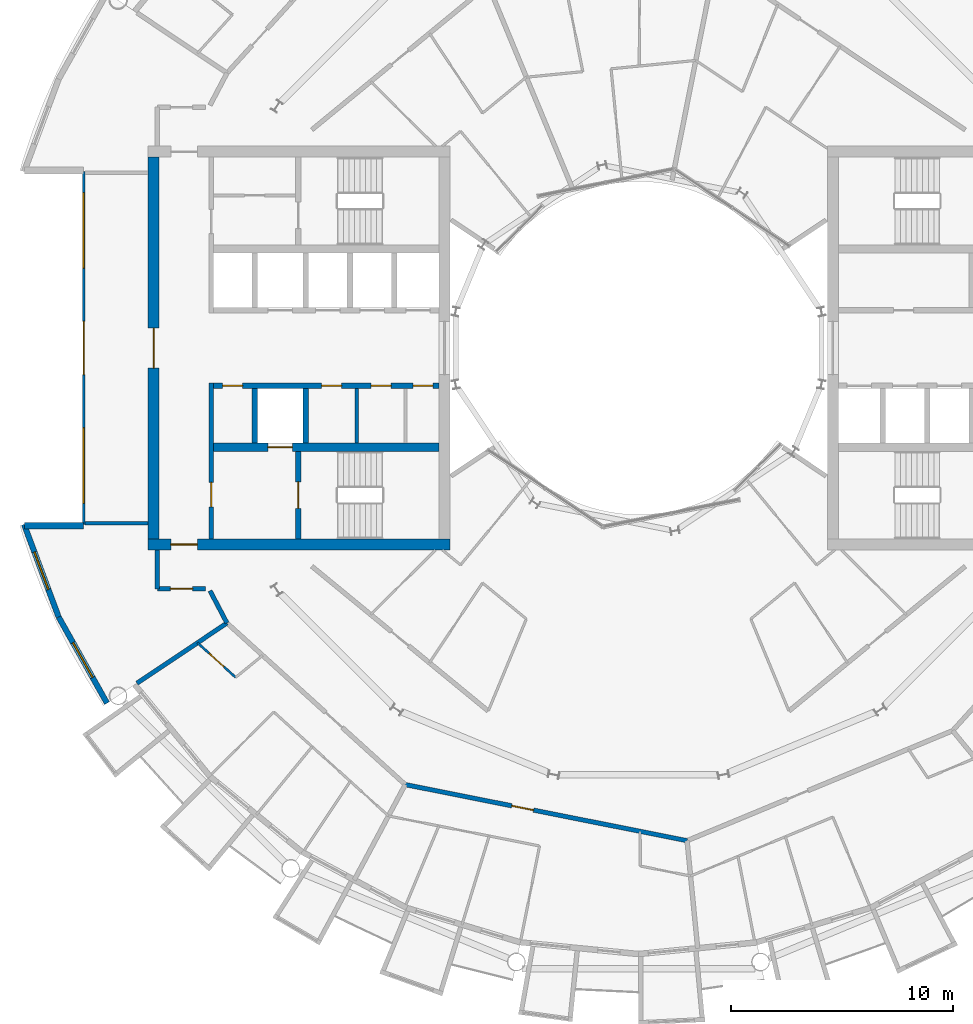
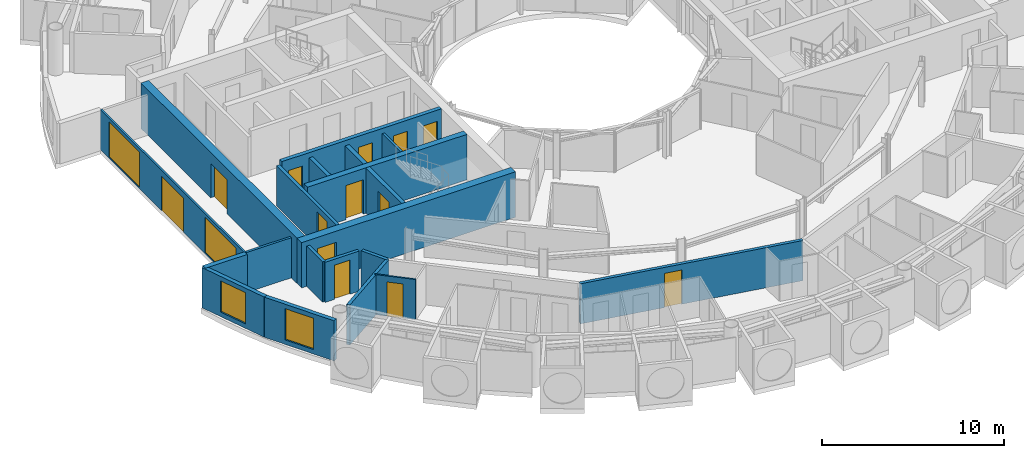
# One storey, part 15 of 27: 20 walls, 13 doors, 4 windows, 17 openings.
"""IFC4 building model written with IfcOpenShell, lengths in metres."""

import ifcopenshell
import ifcopenshell.guid

model = None  # the IFC model being written
_history = None  # IfcOwnerHistory: only IFC2X3 demands one
_inside = {}  # id of a spatial element -> (the spatial element, [elements in it])
_under = {}  # id of a project, library or spatial element -> (it, [spatial elements below it])
_declared = {}  # id of a project -> (the project, [libraries it declares])
_typed = {}  # id of a type object -> (the type object, [elements of that type])
_made_of = {}  # id of a material, layer set ... -> (it, [elements and type objects made of it])


def new_model(schema):
    """Start an empty IFC model of exactly this schema.

    Asked for "IFC4X3", IfcOpenShell would pick the latest addendum, in which some entities
    have other attributes; the version numbers below select the first issue.
    IFC2X3 requires an IfcOwnerHistory on every rooted entity: one is made here for all.
    """
    global model, _history
    if schema == "IFC4X3":
        model = ifcopenshell.file(schema_version=(4, 3, 0, 0))
    else:
        model = ifcopenshell.file(schema=schema)
    _inside.clear()
    _under.clear()
    _declared.clear()
    _typed.clear()
    _made_of.clear()
    _history = None
    if model.schema == "IFC2X3":
        org = make("IfcOrganization", Name="unknown")
        user = make(
            "IfcPersonAndOrganization",
            ThePerson=make("IfcPerson", FamilyName="unknown"),
            TheOrganization=org,
        )
        app = make(
            "IfcApplication",
            ApplicationDeveloper=org,
            Version="unknown",
            ApplicationFullName="unknown",
            ApplicationIdentifier="unknown",
        )
        _history = make(
            "IfcOwnerHistory",
            OwningUser=user,
            OwningApplication=app,
            ChangeAction="ADDED",
            CreationDate=0,
        )
    return model


def make(cls, **values):
    """One entity of the class cls with the attributes given. An attribute that is None is left unset."""
    return model.create_entity(
        cls, **{name: value for name, value in values.items() if value is not None}
    )


def rooted(cls, **values):
    """An entity with a GlobalId (a new one), such as an element, a storey or a relation."""
    return make(cls, GlobalId=ifcopenshell.guid.new(), OwnerHistory=_history, **values)


def si_unit(unit_type, name, prefix=None):
    """IfcSIUnit, for example si_unit("LENGTHUNIT", "METRE", prefix="MILLI")."""
    return make("IfcSIUnit", UnitType=unit_type, Prefix=prefix, Name=name)


def assignment(units):
    """IfcUnitAssignment: the units of a project."""
    return None if units is None else make("IfcUnitAssignment", Units=units)


def point(xyz):
    """IfcCartesianPoint."""
    return None if xyz is None else make("IfcCartesianPoint", Coordinates=xyz)


def direction(xyz):
    """IfcDirection."""
    return None if xyz is None else make("IfcDirection", DirectionRatios=xyz)


def frame(location, z_axis=None, x_axis=None):
    """IfcAxis2Placement3D, a coordinate frame: its origin and axes. An axis left out is left unset."""
    return make(
        "IfcAxis2Placement3D",
        Location=point(location),
        Axis=direction(z_axis),
        RefDirection=direction(x_axis),
    )


def frame_2d(location, x_axis=None):
    """IfcAxis2Placement2D, a coordinate frame in the plane: its origin and x axis."""
    return make(
        "IfcAxis2Placement2D", Location=point(location), RefDirection=direction(x_axis)
    )


def origin():
    """The frame at (0, 0, 0) with its axes left unset."""
    return frame((0.0, 0.0, 0.0))


def place(relative_to, where):
    """IfcLocalPlacement: puts the frame where relative to a parent placement (None: the world)."""
    return make(
        "IfcLocalPlacement", PlacementRelTo=relative_to, RelativePlacement=where
    )


def context(
    kind, dimensions, precision=None, world=None, true_north=None, identifier=None
):
    """IfcGeometricRepresentationContext, for example the 3D "Model" context."""
    return make(
        "IfcGeometricRepresentationContext",
        ContextIdentifier=identifier,
        ContextType=kind,
        CoordinateSpaceDimension=dimensions,
        Precision=precision,
        WorldCoordinateSystem=world,
        TrueNorth=true_north,
    )


def subcontext(parent, identifier, kind, view, scale=None):
    """IfcGeometricRepresentationSubContext, for example "Body" below "Model"."""
    return make(
        "IfcGeometricRepresentationSubContext",
        ContextIdentifier=identifier,
        ContextType=kind,
        ParentContext=parent,
        TargetScale=scale,
        TargetView=view,
    )


def project(units=None, contexts=None):
    """IfcProject with its units and contexts."""
    return rooted(
        "IfcProject",
        Name="project",
        RepresentationContexts=contexts,
        UnitsInContext=assignment(units),
    )


def spatial(cls, under=None, at=None, **own):
    """A site, building, storey or space (cls), placed at a placement, below another one or the project."""
    s = rooted(cls, ObjectPlacement=at, **own)
    if under is not None:
        _under.setdefault(under.id(), (under, []))[1].append(s)
    return s


def profile(cls, at=None, kind="AREA", **sizes):
    """A parametric profile (cls). Its sizes go by their IFC names, for example OverallWidth=200.0."""
    return make(cls, ProfileType=kind, Position=at, **sizes)


def rectangle(**sizes):
    """IfcRectangleProfileDef."""
    return profile("IfcRectangleProfileDef", **sizes)


def extrude(swept, where, along, depth):
    """IfcExtrudedAreaSolid: the profile swept, set in the frame where, extruded along a direction by depth."""
    return make(
        "IfcExtrudedAreaSolid",
        SweptArea=swept,
        Position=where,
        ExtrudedDirection=direction(along),
        Depth=depth,
    )


def shape(context_of_items, identifier, shape_type, items):
    """IfcShapeRepresentation: the items that make up one representation, for example the "Body"."""
    return make(
        "IfcShapeRepresentation",
        ContextOfItems=context_of_items,
        RepresentationIdentifier=identifier,
        RepresentationType=shape_type,
        Items=items,
    )


def material(Name=None, Category=None):
    """IfcMaterial."""
    return make("IfcMaterial", Name=Name, Category=Category)


def layer(
    of_material, thickness, ventilated=None, Name=None, Category=None, Priority=None
):
    """IfcMaterialLayer: one layer of a wall or slab, of a material (None: an air gap)."""
    return make(
        "IfcMaterialLayer",
        Material=of_material,
        LayerThickness=thickness,
        IsVentilated=ventilated,
        Name=Name,
        Category=Category,
        Priority=Priority,
    )


def layer_set(layers, Name=None):
    """IfcMaterialLayerSet."""
    return make("IfcMaterialLayerSet", MaterialLayers=layers, LayerSetName=Name)


def made_of(thing, what):
    """Note that an element or type object is made of a material, layer set ...; save() writes the relation."""
    if what is not None:
        _made_of.setdefault(what.id(), (what, []))[1].append(thing)
    return thing


def type_object(cls, material=None, **own):
    """A type object (cls), such as IfcWallType, which elements share."""
    return made_of(rooted(cls, **own), material)


def element(
    cls,
    number,
    at=None,
    inside=None,
    cuts=None,
    type_object=None,
    material=None,
    context=None,
    identifier="Body",
    shape_type=None,
    held_by="IfcProductDefinitionShape",
    body=None,
    shapes=None,
    **own,
):
    """One element of the class cls, such as IfcWall. Its Tag is "e" and its number.

    at: its placement. inside: the storey or other place that contains it. cuts: it is an
    opening in that element (IfcRelVoidsElement). A single representation is given by context,
    identifier, shape_type and body (its items); several are given by shapes. held_by: the class
    of the entity that holds the representations. save() writes the other relations.
    """
    e = rooted(cls, Tag="e%d" % number, ObjectPlacement=at, **own)
    if body is not None:
        shapes = [shape(context, identifier, shape_type, body)]
    if shapes is not None:
        e.Representation = make(held_by, Representations=shapes)
    if inside is not None:
        _inside.setdefault(inside.id(), (inside, []))[1].append(e)
    if cuts is not None:
        rooted(
            "IfcRelVoidsElement", RelatingBuildingElement=cuts, RelatedOpeningElement=e
        )
    if type_object is not None:
        _typed.setdefault(type_object.id(), (type_object, []))[1].append(e)
    return made_of(e, material)


def fill(opening, filler):
    """IfcRelFillsElement: the door or window that sits in an opening."""
    return rooted(
        "IfcRelFillsElement",
        RelatingOpeningElement=opening,
        RelatedBuildingElement=filler,
    )


def aggregate(whole, parts):
    """IfcRelAggregates: a whole, such as a stair, and the parts it consists of."""
    return rooted("IfcRelAggregates", RelatingObject=whole, RelatedObjects=parts)


def save(model, path):
    """Write the relations noted so far, then the file.

    IfcRelAggregates (storeys below a building ...), IfcRelContainedInSpatialStructure (elements
    in a storey), IfcRelDefinesByType, IfcRelAssociatesMaterial and IfcRelDeclares: one each for
    every whole, place, type object, material and project.
    """
    for whole, parts in _under.values():
        aggregate(whole, parts)
    for where, things in _inside.values():
        rooted(
            "IfcRelContainedInSpatialStructure",
            RelatedElements=things,
            RelatingStructure=where,
        )
    for kind, things in _typed.values():
        rooted("IfcRelDefinesByType", RelatedObjects=things, RelatingType=kind)
    for what, things in _made_of.values():
        rooted("IfcRelAssociatesMaterial", RelatedObjects=things, RelatingMaterial=what)
    for by, libraries in _declared.values():
        rooted("IfcRelDeclares", RelatingContext=by, RelatedDefinitions=libraries)
    model.write(path)


model = new_model("IFC4")

# Units and contexts
model_context = context("Model", 3, precision=1e-05, world=origin(), true_north=direction((0.0, 1.0)))
body_context = subcontext(model_context, "Body", "Model", "MODEL_VIEW")
ifc_project = project(units=[si_unit("LENGTHUNIT", "METRE"), si_unit("AREAUNIT", "SQUARE_METRE"), si_unit("VOLUMEUNIT", "CUBIC_METRE"), si_unit("PLANEANGLEUNIT", "RADIAN"), si_unit("MASSUNIT", "GRAM", prefix="KILO")], contexts=[model_context])

# Site, building, storey
site_placement = place(None, origin())
site = spatial("IfcSite", under=ifc_project, at=site_placement, CompositionType="ELEMENT")
building_placement = place(site_placement, origin())
building = spatial("IfcBuilding", under=site, at=building_placement, Name="Maasbend Ring Residences", CompositionType="ELEMENT")
storey_placement = place(building_placement, frame((0.0, 0.0, 145.199951171875)))
storey = spatial("IfcBuildingStorey", under=building, at=storey_placement, Name="L41", CompositionType="ELEMENT", Elevation=145.199951171875)

# Wall, openings, doors
ifc_material_1 = material(Name="Concrete C60/75", Category="concrete")
ifc_layer_1 = layer(ifc_material_1, 0.25)
ifc_layer_set_1 = layer_set([ifc_layer_1], Name="Concrete C60/75")
wall_type_1 = type_object("IfcWallType", Name="CORE WALL 250 C60/75", PredefinedType="SHEAR", material=ifc_layer_set_1)
wall_1_placement = place(storey_placement, frame((-9.0, -1.699951171875, 0.0), z_axis=(0.0, 0.0, 1.0), x_axis=(-1.0, 0.0, 0.0)))
wall_1 = element("IfcWall", 1, at=wall_1_placement, inside=storey, type_object=wall_type_1, Name="L41 core W wall SPN", PredefinedType="SHEAR", context=body_context, shape_type="SweptSolid", body=[
    extrude(rectangle(XDim=10.14990234375, YDim=0.25, at=frame_2d((5.074951171875, 0.0))), origin(), (0.0, 0.0, 1.0), 3.050048828125),
])
opening_1_placement = place(wall_1_placement, frame((0.262451171875, 0.0, 0.0)))
opening_1 = element("IfcOpeningElement", 2, at=opening_1_placement, cuts=wall_1, Name="Opening D-W4106", PredefinedType="OPENING", context=body_context, shape_type="SweptSolid", body=[
    extrude(rectangle(XDim=0.89990234375, YDim=2.300048828125, at=frame_2d((0.449951171875, 1.14990234375))), frame((0.0, 0.135009765625, 0.0), z_axis=(0.0, -1.0, 0.0), x_axis=(1.0, 0.0, 0.0)), (0.0, 0.0, 1.0), 0.27001953125),
])
opening_2_placement = place(wall_1_placement, frame((2.14990234375, 0.0, 0.0)))
opening_2 = element("IfcOpeningElement", 3, at=opening_2_placement, cuts=wall_1, Name="Opening D-W4107", PredefinedType="OPENING", context=body_context, shape_type="SweptSolid", body=[
    extrude(rectangle(XDim=0.89990234375, YDim=2.300048828125, at=frame_2d((0.449951171875, 1.14990234375))), frame((0.0, 0.135009765625, 0.0), z_axis=(0.0, -1.0, 0.0), x_axis=(1.0, 0.0, 0.0)), (0.0, 0.0, 1.0), 0.27001953125),
])
opening_3_placement = place(wall_1_placement, frame((4.375, 0.0, 0.0)))
opening_3 = element("IfcOpeningElement", 4, at=opening_3_placement, cuts=wall_1, Name="Opening D-W4108", PredefinedType="OPENING", context=body_context, shape_type="SweptSolid", body=[
    extrude(rectangle(XDim=0.89990234375, YDim=2.300048828125, at=frame_2d((0.449951171875, 1.14990234375))), frame((0.0, 0.135009765625, 0.0), z_axis=(0.0, -1.0, 0.0), x_axis=(1.0, 0.0, 0.0)), (0.0, 0.0, 1.0), 0.27001953125),
])
opening_4_placement = place(wall_1_placement, frame((8.83740234375, 0.0, 0.0)))
opening_4 = element("IfcOpeningElement", 5, at=opening_4_placement, cuts=wall_1, Name="Opening D-W4109", PredefinedType="OPENING", context=body_context, shape_type="SweptSolid", body=[
    extrude(rectangle(XDim=0.89990234375, YDim=2.300048828125, at=frame_2d((0.449951171875, 1.14990234375))), frame((0.0, 0.135009765625, 0.0), z_axis=(0.0, -1.0, 0.0), x_axis=(1.0, 0.0, 0.0)), (0.0, 0.0, 1.0), 0.27001953125),
])
ifc_material_2 = material(Name="Steel, powder coated", Category="steel")
door_type_1 = type_object("IfcDoorType", Name="ROOM DOOR 900 X 2300 FD30S", OperationType="NOTDEFINED", PredefinedType="DOOR", material=ifc_material_2)
door_1_placement = place(opening_1_placement, origin())
door_1 = element("IfcDoor", 6, at=door_1_placement, inside=storey, type_object=door_type_1, Name="Room door L41", OperationType="SINGLE_SWING_RIGHT", OverallHeight=2.300048828125, OverallWidth=0.89990234375, PredefinedType="DOOR", context=body_context, shape_type="SweptSolid", body=[
    extrude(rectangle(XDim=0.89990234375, YDim=2.300048828125, at=frame_2d((0.449951171875, 1.14990234375))), frame((0.0, 0.02490234375, 0.0), z_axis=(0.0, -1.0, 0.0), x_axis=(1.0, 0.0, 0.0)), (0.0, 0.0, 1.0), 0.050048828125),
])
fill(opening_1, door_1)
door_2_placement = place(opening_2_placement, origin())
door_2 = element("IfcDoor", 7, at=door_2_placement, inside=storey, type_object=door_type_1, Name="Room door L41", OperationType="SINGLE_SWING_RIGHT", OverallHeight=2.300048828125, OverallWidth=0.89990234375, PredefinedType="DOOR", context=body_context, shape_type="SweptSolid", body=[
    extrude(rectangle(XDim=0.89990234375, YDim=2.300048828125, at=frame_2d((0.449951171875, 1.14990234375))), frame((0.0, 0.02490234375, 0.0), z_axis=(0.0, -1.0, 0.0), x_axis=(1.0, 0.0, 0.0)), (0.0, 0.0, 1.0), 0.050048828125),
])
fill(opening_2, door_2)
door_3_placement = place(opening_3_placement, origin())
door_3 = element("IfcDoor", 8, at=door_3_placement, inside=storey, type_object=door_type_1, Name="Room door L41", OperationType="SINGLE_SWING_RIGHT", OverallHeight=2.300048828125, OverallWidth=0.89990234375, PredefinedType="DOOR", context=body_context, shape_type="SweptSolid", body=[
    extrude(rectangle(XDim=0.89990234375, YDim=2.300048828125, at=frame_2d((0.449951171875, 1.14990234375))), frame((0.0, 0.02490234375, 0.0), z_axis=(0.0, -1.0, 0.0), x_axis=(1.0, 0.0, 0.0)), (0.0, 0.0, 1.0), 0.050048828125),
])
fill(opening_3, door_3)
door_4_placement = place(opening_4_placement, origin())
door_4 = element("IfcDoor", 9, at=door_4_placement, inside=storey, type_object=door_type_1, Name="Room door L41", OperationType="SINGLE_SWING_LEFT", OverallHeight=2.300048828125, OverallWidth=0.89990234375, PredefinedType="DOOR", context=body_context, shape_type="SweptSolid", body=[
    extrude(rectangle(XDim=0.89990234375, YDim=2.300048828125, at=frame_2d((0.449951171875, 1.14990234375))), frame((0.0, 0.02490234375, 0.0), z_axis=(0.0, -1.0, 0.0), x_axis=(1.0, 0.0, 0.0)), (0.0, 0.0, 1.0), 0.050048828125),
])
fill(opening_4, door_4)

# Wall, opening, door
wall_2_placement = place(storey_placement, frame((-15.324951171875, -4.64990234375, 0.0), z_axis=(0.0, 0.0, 1.0), x_axis=(0.0, -1.0, 0.0)))
wall_2 = element("IfcWall", 10, at=wall_2_placement, inside=storey, type_object=wall_type_1, Name="L41 core W wall STEN", PredefinedType="SHEAR", context=body_context, shape_type="SweptSolid", body=[
    extrude(rectangle(XDim=3.9501953125, YDim=0.25, at=frame_2d((1.97509765625, 0.0))), origin(), (0.0, 0.0, 1.0), 3.050048828125),
])
opening_5_placement = place(wall_2_placement, frame((1.375, 0.0, 0.0)))
opening_5 = element("IfcOpeningElement", 11, at=opening_5_placement, cuts=wall_2, Name="Opening D-W4111", PredefinedType="OPENING", context=body_context, shape_type="SweptSolid", body=[
    extrude(rectangle(XDim=1.199951171875, YDim=2.300048828125, at=frame_2d((0.60009765625, 1.14990234375))), frame((0.0, 0.135009765625, 0.0), z_axis=(0.0, -1.0, 0.0), x_axis=(1.0, 0.0, 0.0)), (0.0, 0.0, 1.0), 0.27001953125),
])
ifc_material_3 = material(Name="Steel, powder coated", Category="steel")
door_type_2 = type_object("IfcDoorType", Name="STAIR DOOR 1200 X 2300 FD60", OperationType="NOTDEFINED", PredefinedType="DOOR", material=ifc_material_3)
door_5_placement = place(opening_5_placement, origin())
door_5 = element("IfcDoor", 12, at=door_5_placement, inside=storey, type_object=door_type_2, Name="Stair door ST-W L41", OperationType="SINGLE_SWING_LEFT", OverallHeight=2.300048828125, OverallWidth=1.199951171875, PredefinedType="DOOR", context=body_context, shape_type="SweptSolid", body=[
    extrude(rectangle(XDim=1.199951171875, YDim=2.300048828125, at=frame_2d((0.60009765625, 1.14990234375))), frame((0.0, 0.02490234375, 0.0), z_axis=(0.0, -1.0, 0.0), x_axis=(1.0, 0.0, 0.0)), (0.0, 0.0, 1.0), 0.050048828125),
])
fill(opening_5, door_5)

ifc_material_4 = material(Name="Concrete C60/75", Category="concrete")
ifc_layer_2 = layer(ifc_material_4, 0.375)
ifc_layer_set_2 = layer_set([ifc_layer_2], Name="Concrete C60/75")
wall_type_2 = type_object("IfcWallType", Name="CORE WALL 375 C60/75", PredefinedType="SHEAR", material=ifc_layer_set_2)
wall_3_placement = place(storey_placement, frame((-9.0, -4.46240234375, 0.0), z_axis=(0.0, 0.0, 1.0), x_axis=(-1.0, 0.0, 0.0)))
wall_3 = element("IfcWall", 13, at=wall_3_placement, inside=storey, type_object=wall_type_2, Name="L41 core W wall BN", PredefinedType="SHEAR", context=body_context, shape_type="SweptSolid", body=[
    extrude(rectangle(XDim=10.14990234375, YDim=0.375, at=frame_2d((5.074951171875, 0.0))), origin(), (0.0, 0.0, 1.0), 3.050048828125),
])
opening_6_placement = place(wall_3_placement, frame((6.60009765625, 0.0, 0.0)))
opening_6 = element("IfcOpeningElement", 14, at=opening_6_placement, cuts=wall_3, Name="Opening LD-W4101", PredefinedType="OPENING", context=body_context, shape_type="SweptSolid", body=[
    extrude(rectangle(XDim=1.10009765625, YDim=2.300048828125, at=frame_2d((0.550048828125, 1.14990234375))), frame((0.0, 0.197509765625, 0.0), z_axis=(0.0, -1.0, 0.0), x_axis=(1.0, 0.0, 0.0)), (0.0, 0.0, 1.0), 0.39501953125),
])
ifc_material_5 = material(Name="Stainless steel 316", Category="steel")
door_type_3 = type_object("IfcDoorType", Name="LANDING DOOR 1100 X 2300 FD60", OperationType="DOUBLE_DOOR_SLIDING", PredefinedType="DOOR", material=ifc_material_5)
door_6_placement = place(opening_6_placement, origin())
door_6 = element("IfcDoor", 15, at=door_6_placement, inside=storey, type_object=door_type_3, Name="Landing door FF-W L41", OperationType="DOUBLE_DOOR_SLIDING", OverallHeight=2.300048828125, OverallWidth=1.10009765625, PredefinedType="DOOR", context=body_context, shape_type="SweptSolid", body=[
    extrude(rectangle(XDim=1.10009765625, YDim=2.300048828125, at=frame_2d((0.550048828125, 1.14990234375))), frame((0.0, 0.02490234375, 0.0), z_axis=(0.0, -1.0, 0.0), x_axis=(1.0, 0.0, 0.0)), (0.0, 0.0, 1.0), 0.050048828125),
])
fill(opening_6, door_6)

ifc_material_6 = material(Name="Concrete C60/75", Category="concrete")
ifc_layer_3 = layer(ifc_material_6, 0.5)
ifc_layer_set_3 = layer_set([ifc_layer_3], Name="Concrete C60/75")
wall_type_3 = type_object("IfcWallType", Name="CORE WALL 500 C60/75", PredefinedType="SHEAR", material=ifc_layer_set_3)
wall_4_placement = place(storey_placement, frame((-22.10009765625, -8.85009765625, 0.0), z_axis=(0.0, 0.0, 1.0), x_axis=(1.0, 0.0, 0.0)))
wall_4 = element("IfcWall", 16, at=wall_4_placement, inside=storey, type_object=wall_type_3, Name="L41 core W wall PN", PredefinedType="SHEAR", context=body_context, shape_type="SweptSolid", body=[
    extrude(rectangle(XDim=13.60009765625, YDim=0.5, at=frame_2d((6.800048828125, 0.0))), origin(), (0.0, 0.0, 1.0), 3.050048828125),
])
opening_7_placement = place(wall_4_placement, frame((1.02490234375, 0.0, 0.0)))
opening_7 = element("IfcOpeningElement", 17, at=opening_7_placement, cuts=wall_4, Name="Opening D-W4115", PredefinedType="OPENING", context=body_context, shape_type="SweptSolid", body=[
    extrude(rectangle(XDim=1.199951171875, YDim=2.300048828125, at=frame_2d((0.60009765625, 1.14990234375))), frame((0.0, 0.260009765625, 0.0), z_axis=(0.0, -1.0, 0.0), x_axis=(1.0, 0.0, 0.0)), (0.0, 0.0, 1.0), 0.52001953125),
])
ifc_material_7 = material(Name="Steel, powder coated", Category="steel")
door_type_4 = type_object("IfcDoorType", Name="CORRIDOR DOOR 1200 X 2300 FD30S", OperationType="NOTDEFINED", PredefinedType="DOOR", material=ifc_material_7)
door_7_placement = place(opening_7_placement, origin())
door_7 = element("IfcDoor", 18, at=door_7_placement, inside=storey, type_object=door_type_4, Name="Corridor door L41", OperationType="SINGLE_SWING_RIGHT", OverallHeight=2.300048828125, OverallWidth=1.199951171875, PredefinedType="DOOR", context=body_context, shape_type="SweptSolid", body=[
    extrude(rectangle(XDim=1.199951171875, YDim=2.300048828125, at=frame_2d((0.60009765625, 1.14990234375))), frame((0.0, 0.02490234375, 0.0), z_axis=(0.0, -1.0, 0.0), x_axis=(1.0, 0.0, 0.0)), (0.0, 0.0, 1.0), 0.050048828125),
])
fill(opening_7, door_7)

wall_5_placement = place(storey_placement, frame((-21.85009765625, -8.60009765625, 0.0), z_axis=(0.0, 0.0, 1.0), x_axis=(0.0, 1.0, 0.0)))
wall_5 = element("IfcWall", 19, at=wall_5_placement, inside=storey, type_object=wall_type_3, Name="L41 core W wall POUT", PredefinedType="SHEAR", context=body_context, shape_type="SweptSolid", body=[
    extrude(rectangle(XDim=17.2001953125, YDim=0.5, at=frame_2d((8.60009765625, 0.0))), origin(), (0.0, 0.0, 1.0), 3.050048828125),
])
opening_8_placement = place(wall_5_placement, frame((7.699951171875, 0.0, 0.0)))
opening_8 = element("IfcOpeningElement", 20, at=opening_8_placement, cuts=wall_5, Name="Opening D-W4117", PredefinedType="OPENING", context=body_context, shape_type="SweptSolid", body=[
    extrude(rectangle(XDim=1.800048828125, YDim=2.300048828125, at=frame_2d((0.89990234375, 1.14990234375))), frame((0.0, 0.260009765625, 0.0), z_axis=(0.0, -1.0, 0.0), x_axis=(1.0, 0.0, 0.0)), (0.0, 0.0, 1.0), 0.52001953125),
])
ifc_material_8 = material(Name="Aluminium frame, clear glass", Category="aluminium")
door_type_5 = type_object("IfcDoorType", Name="ENTRANCE DOOR 1800 X 2300 FD60", OperationType="NOTDEFINED", PredefinedType="DOOR", material=ifc_material_8)
door_8_placement = place(opening_8_placement, origin())
door_8 = element("IfcDoor", 21, at=door_8_placement, inside=storey, type_object=door_type_5, Name="Lobby glazed door L41", OperationType="SINGLE_SWING_LEFT", OverallHeight=2.300048828125, OverallWidth=1.800048828125, PredefinedType="DOOR", context=body_context, shape_type="SweptSolid", body=[
    extrude(rectangle(XDim=1.800048828125, YDim=2.300048828125, at=frame_2d((0.89990234375, 1.14990234375))), frame((0.0, 0.02490234375, 0.0), z_axis=(0.0, -1.0, 0.0), x_axis=(1.0, 0.0, 0.0)), (0.0, 0.0, 1.0), 0.050048828125),
])
fill(opening_8, door_8)

# Wall
ifc_material_9 = material(Name="Concrete C30/37", Category="concrete")
ifc_layer_4 = layer(ifc_material_9, 0.199951171875)
ifc_layer_set_4 = layer_set([ifc_layer_4], Name="Concrete C30/37")
wall_type_4 = type_object("IfcWallType", Name="CORRIDOR WALL 200 CONCRETE", PredefinedType="PARTITIONING", material=ifc_layer_set_4)
wall_6_placement = place(storey_placement, frame((-19.306884765625, -10.93505859375, 0.0), z_axis=(0.0, 0.0, 1.0), x_axis=(0.465605550524, -0.884992356646, 0.0)))
element("IfcWall", 22, at=wall_6_placement, inside=storey, type_object=wall_type_4, Name="U-L41-w009", PredefinedType="PARTITIONING", context=body_context, shape_type="SweptSolid", body=[
    extrude(rectangle(XDim=1.642822265625, YDim=0.199951171875, at=frame_2d((0.8212890625, 0.0))), origin(), (0.0, 0.0, 1.0), 2.699951171875),
])

# Wall, opening, door
wall_7_placement = place(storey_placement, frame((-10.511962890625, -19.6669921875, 0.0), z_axis=(0.0, 0.0, 1.0), x_axis=(0.980780341017, -0.195115152343, 0.0)))
wall_7 = element("IfcWall", 23, at=wall_7_placement, inside=storey, type_object=wall_type_4, Name="U-L41-w015", PredefinedType="PARTITIONING", context=body_context, shape_type="SweptSolid", body=[
    extrude(rectangle(XDim=12.94677734375, YDim=0.199951171875, at=frame_2d((6.473388671875, 0.0))), origin(), (0.0, 0.0, 1.0), 2.699951171875),
])
opening_9_placement = place(wall_7_placement, frame((4.89404296875, 0.0, 0.0)))
opening_9 = element("IfcOpeningElement", 24, at=opening_9_placement, cuts=wall_7, Name="Opening D-4138", PredefinedType="OPENING", context=body_context, shape_type="SweptSolid", body=[
    extrude(rectangle(XDim=1.0, YDim=2.300048828125, at=frame_2d((0.5, 1.14990234375))), frame((0.0, 0.10986328125, 0.0), z_axis=(0.0, -1.0, 0.0), x_axis=(1.0, 0.0, 0.0)), (0.0, 0.0, 1.0), 0.219970703125),
])
ifc_material_10 = material(Name="Timber, fire-rated, painted", Category="wood")
door_type_6 = type_object("IfcDoorType", Name="FLAT ENTRANCE DOOR 1000 X 2300 FIRE-RATED", OperationType="NOTDEFINED", PredefinedType="DOOR", material=ifc_material_10)
door_9_placement = place(opening_9_placement, origin())
door_9 = element("IfcDoor", 25, at=door_9_placement, inside=storey, type_object=door_type_6, Name="D-4138", OperationType="SINGLE_SWING_LEFT", OverallHeight=2.300048828125, OverallWidth=1.0, PredefinedType="DOOR", context=body_context, shape_type="SweptSolid", body=[
    extrude(rectangle(XDim=1.0, YDim=2.300048828125, at=frame_2d((0.5, 1.14990234375))), frame((0.0, 0.02490234375, 0.0), z_axis=(0.0, -1.0, 0.0), x_axis=(1.0, 0.0, 0.0)), (0.0, 0.0, 1.0), 0.050048828125),
])
fill(opening_9, door_9)

wall_8_placement = place(storey_placement, frame((-21.675048828125, -10.85009765625, 0.0), z_axis=(0.0, 0.0, 1.0), x_axis=(1.0, 0.0, 0.0)))
wall_8 = element("IfcWall", 26, at=wall_8_placement, inside=storey, type_object=wall_type_4, Name="U-L41-w023", PredefinedType="PARTITIONING", context=body_context, shape_type="SweptSolid", body=[
    extrude(rectangle(XDim=2.171142578125, YDim=0.199951171875, at=frame_2d((1.08544921875, 0.0))), origin(), (0.0, 0.0, 1.0), 2.699951171875),
])
opening_10_placement = place(wall_8_placement, frame((0.5849609375, 0.0, 0.0)))
opening_10 = element("IfcOpeningElement", 27, at=opening_10_placement, cuts=wall_8, Name="Opening D-4159", PredefinedType="OPENING", context=body_context, shape_type="SweptSolid", body=[
    extrude(rectangle(XDim=1.0, YDim=2.300048828125, at=frame_2d((0.5, 1.14990234375))), frame((0.0, 0.10986328125, 0.0), z_axis=(0.0, -1.0, 0.0), x_axis=(1.0, 0.0, 0.0)), (0.0, 0.0, 1.0), 0.219970703125),
])
ifc_material_11 = material(Name="Timber, painted", Category="wood")
door_type_7 = type_object("IfcDoorType", Name="ROOM DOOR 1000 X 2300", OperationType="NOTDEFINED", PredefinedType="DOOR", material=ifc_material_11)
door_10_placement = place(opening_10_placement, origin())
door_10 = element("IfcDoor", 28, at=door_10_placement, inside=storey, type_object=door_type_7, Name="D-4159", OperationType="SINGLE_SWING_LEFT", OverallHeight=2.300048828125, OverallWidth=1.0, PredefinedType="DOOR", context=body_context, shape_type="SweptSolid", body=[
    extrude(rectangle(XDim=1.0, YDim=2.300048828125, at=frame_2d((0.5, 1.14990234375))), frame((0.0, 0.02490234375, 0.0), z_axis=(0.0, -1.0, 0.0), x_axis=(1.0, 0.0, 0.0)), (0.0, 0.0, 1.0), 0.050048828125),
])
fill(opening_10, door_10)

# Wall
wall_9_placement = place(storey_placement, frame((-21.675048828125, -10.85009765625, 0.0), z_axis=(0.0, 0.0, 1.0), x_axis=(0.0, 1.0, 0.0)))
element("IfcWall", 29, at=wall_9_placement, inside=storey, type_object=wall_type_4, Name="U-L41-w098", PredefinedType="PARTITIONING", context=body_context, shape_type="SweptSolid", body=[
    extrude(rectangle(XDim=1.75, YDim=0.199951171875, at=frame_2d((0.875, 0.0))), origin(), (0.0, 0.0, 1.0), 2.699951171875),
])

# Wall, opening, window
ifc_material_12 = material(Name="Aluminium clad insulated panel", Category="aluminium")
ifc_layer_5 = layer(ifc_material_12, 0.25)
ifc_layer_set_5 = layer_set([ifc_layer_5], Name="EW-HORN")
wall_type_5 = type_object("IfcWallType", Name="EW-HORN", PredefinedType="SOLIDWALL", material=ifc_layer_set_5)
wall_10_placement = place(storey_placement, frame((-27.681884765625, -7.945068359375, 0.0), z_axis=(0.0, 0.0, 1.0), x_axis=(0.349247811493, -0.937030397675, 0.0)))
wall_10 = element("IfcWall", 30, at=wall_10_placement, inside=storey, type_object=wall_type_5, Name="Horn wall 3.1", PredefinedType="SOLIDWALL", context=body_context, shape_type="SweptSolid", body=[
    extrude(rectangle(XDim=4.4521484375, YDim=0.25, at=frame_2d((2.22607421875, 0.0))), origin(), (0.0, 0.0, 1.0), 2.699951171875),
])
opening_11_placement = place(wall_10_placement, frame((1.32666015625, 0.0, 0.300048828125)))
opening_11 = element("IfcOpeningElement", 31, at=opening_11_placement, cuts=wall_10, Name="Opening W-BX", PredefinedType="OPENING", context=body_context, shape_type="SweptSolid", body=[
    extrude(rectangle(XDim=1.800048828125, YDim=2.10009765625, at=frame_2d((0.89990234375, 1.050048828125))), frame((0.0, 0.135009765625, 0.0), z_axis=(0.0, -1.0, 0.0), x_axis=(1.0, 0.0, 0.0)), (0.0, 0.0, 1.0), 0.27001953125),
])
ifc_material_13 = material(Name="Aluminium and clear glass", Category="aluminium")
window_type_1 = type_object("IfcWindowType", Name="W-BX", PartitioningType="DOUBLE_PANEL_VERTICAL", PredefinedType="WINDOW", material=ifc_material_13)
window_1_placement = place(opening_11_placement, origin())
window_1 = element("IfcWindow", 32, at=window_1_placement, inside=storey, type_object=window_type_1, Name="Horn window 3.1", OverallHeight=2.10009765625, OverallWidth=1.800048828125, PartitioningType="SINGLE_PANEL", PredefinedType="WINDOW", context=body_context, shape_type="SweptSolid", body=[
    extrude(rectangle(XDim=1.800048828125, YDim=2.10009765625, at=frame_2d((0.89990234375, 1.050048828125))), frame((0.0, 0.030029296875, 0.0), z_axis=(0.0, -1.0, 0.0), x_axis=(1.0, 0.0, 0.0)), (0.0, 0.0, 1.0), 0.06005859375),
])
fill(opening_11, window_1)

wall_11_placement = place(storey_placement, frame((-26.126953125, -12.116943359375, 0.0), z_axis=(0.0, 0.0, 1.0), x_axis=(0.489696356642, -0.871893042919, 0.0)))
wall_11 = element("IfcWall", 33, at=wall_11_placement, inside=storey, type_object=wall_type_5, Name="Horn wall 3.2", PredefinedType="SOLIDWALL", context=body_context, shape_type="SweptSolid", body=[
    extrude(rectangle(XDim=4.45361328125, YDim=0.25, at=frame_2d((2.226806640625, 0.0))), origin(), (0.0, 0.0, 1.0), 2.699951171875),
])
opening_12_placement = place(wall_11_placement, frame((1.32666015625, 0.0, 0.300048828125)))
opening_12 = element("IfcOpeningElement", 34, at=opening_12_placement, cuts=wall_11, Name="Opening W-BX", PredefinedType="OPENING", context=body_context, shape_type="SweptSolid", body=[
    extrude(rectangle(XDim=1.800048828125, YDim=2.10009765625, at=frame_2d((0.89990234375, 1.050048828125))), frame((0.0, 0.135009765625, 0.0), z_axis=(0.0, -1.0, 0.0), x_axis=(1.0, 0.0, 0.0)), (0.0, 0.0, 1.0), 0.27001953125),
])
window_2_placement = place(opening_12_placement, origin())
window_2 = element("IfcWindow", 35, at=window_2_placement, inside=storey, type_object=window_type_1, Name="Horn window 3.2", OverallHeight=2.10009765625, OverallWidth=1.800048828125, PartitioningType="SINGLE_PANEL", PredefinedType="WINDOW", context=body_context, shape_type="SweptSolid", body=[
    extrude(rectangle(XDim=1.800048828125, YDim=2.10009765625, at=frame_2d((0.89990234375, 1.050048828125))), frame((0.0, 0.030029296875, 0.0), z_axis=(0.0, -1.0, 0.0), x_axis=(1.0, 0.0, 0.0)), (0.0, 0.0, 1.0), 0.06005859375),
])
fill(opening_12, window_2)

# Wall
ifc_material_14 = material(Name="Aluminium clad insulated panel", Category="aluminium")
ifc_layer_6 = layer(ifc_material_14, 0.300048828125)
ifc_layer_set_6 = layer_set([ifc_layer_6], Name="EW-RET")
wall_type_6 = type_object("IfcWallType", Name="EW-RET", PredefinedType="SOLIDWALL", material=ifc_layer_set_6)
wall_12_placement = place(storey_placement, frame((-25.0, -8.0, 0.0), z_axis=(0.0, 0.0, 1.0), x_axis=(-1.0, 0.0, 0.0)))
element("IfcWall", 36, at=wall_12_placement, inside=storey, type_object=wall_type_6, Name="Notch return wall west south", PredefinedType="SOLIDWALL", context=body_context, shape_type="SweptSolid", body=[
    extrude(rectangle(XDim=2.6669921875, YDim=0.300048828125, at=frame_2d((1.33349609375, 0.0))), origin(), (0.0, 0.0, 1.0), 2.699951171875),
])

# Wall, openings, door, windows
ifc_material_15 = material(Name="Aluminium frame and clear glass", Category="aluminium")
ifc_layer_7 = layer(ifc_material_15, 0.1201171875)
ifc_layer_set_7 = layer_set([ifc_layer_7], Name="GLAZED SCREEN WALL 120 EI 60")
wall_type_7 = type_object("IfcWallType", Name="GLAZED SCREEN WALL 120 EI 60", PredefinedType="PARTITIONING", material=ifc_layer_set_7)
wall_13_placement = place(storey_placement, frame((-25.0, -7.949951171875, 0.0), z_axis=(0.0, 0.0, 1.0), x_axis=(0.0, 1.0, 0.0)))
wall_13 = element("IfcWall", 37, at=wall_13_placement, inside=storey, type_object=wall_type_7, Name="L41 core W wall FACE", PredefinedType="PARTITIONING", context=body_context, shape_type="SweptSolid", body=[
    extrude(rectangle(XDim=15.89990234375, YDim=0.1201171875, at=frame_2d((7.949951171875, 0.0))), origin(), (0.0, 0.0, 1.0), 2.699951171875),
])
opening_13_placement = place(wall_13_placement, frame((6.75, 0.0, 0.0)))
opening_13 = element("IfcOpeningElement", 38, at=opening_13_placement, cuts=wall_13, Name="Opening D-W4118", PredefinedType="OPENING", context=body_context, shape_type="SweptSolid", body=[
    extrude(rectangle(XDim=2.39990234375, YDim=2.300048828125, at=frame_2d((1.199951171875, 1.14990234375))), frame((0.0, 0.070068359375, 0.0), z_axis=(0.0, -1.0, 0.0), x_axis=(1.0, 0.0, 0.0)), (0.0, 0.0, 1.0), 0.14013671875),
])
opening_14_placement = place(wall_13_placement, frame((11.550048828125, 0.0, 0.10009765625)))
opening_14 = element("IfcOpeningElement", 39, at=opening_14_placement, cuts=wall_13, Name="Opening W-W4102", PredefinedType="OPENING", context=body_context, shape_type="SweptSolid", body=[
    extrude(rectangle(XDim=3.39990234375, YDim=2.35009765625, at=frame_2d((1.699951171875, 1.175048828125))), frame((0.0, 0.070068359375, 0.0), z_axis=(0.0, -1.0, 0.0), x_axis=(1.0, 0.0, 0.0)), (0.0, 0.0, 1.0), 0.14013671875),
])
opening_15_placement = place(wall_13_placement, frame((0.949951171875, 0.0, 0.10009765625)))
opening_15 = element("IfcOpeningElement", 40, at=opening_15_placement, cuts=wall_13, Name="Opening W-W4103", PredefinedType="OPENING", context=body_context, shape_type="SweptSolid", body=[
    extrude(rectangle(XDim=3.39990234375, YDim=2.35009765625, at=frame_2d((1.699951171875, 1.175048828125))), frame((0.0, 0.070068359375, 0.0), z_axis=(0.0, -1.0, 0.0), x_axis=(1.0, 0.0, 0.0)), (0.0, 0.0, 1.0), 0.14013671875),
])
ifc_material_16 = material(Name="Aluminium frame, clear glass", Category="aluminium")
door_type_8 = type_object("IfcDoorType", Name="ENTRANCE DOOR 2400 X 2300 FD60", OperationType="NOTDEFINED", PredefinedType="DOOR", material=ifc_material_16)
door_11_placement = place(opening_13_placement, origin())
door_11 = element("IfcDoor", 41, at=door_11_placement, inside=storey, type_object=door_type_8, Name="Lobby glazed door L41", OperationType="SINGLE_SWING_LEFT", OverallHeight=2.300048828125, OverallWidth=2.39990234375, PredefinedType="DOOR", context=body_context, shape_type="SweptSolid", body=[
    extrude(rectangle(XDim=2.39990234375, YDim=2.300048828125, at=frame_2d((1.199951171875, 1.14990234375))), frame((0.0, 0.02490234375, 0.0), z_axis=(0.0, -1.0, 0.0), x_axis=(1.0, 0.0, 0.0)), (0.0, 0.0, 1.0), 0.050048828125),
])
fill(opening_13, door_11)
ifc_material_17 = material(Name="Aluminium frame and clear glass", Category="aluminium")
window_type_2 = type_object("IfcWindowType", Name="FIXED WINDOW 3400 X 2350", PartitioningType="SINGLE_PANEL", PredefinedType="WINDOW", material=ifc_material_17)
window_3_placement = place(opening_14_placement, origin())
window_3 = element("IfcWindow", 42, at=window_3_placement, inside=storey, type_object=window_type_2, Name="Lobby window L41", OverallHeight=2.35009765625, OverallWidth=3.39990234375, PartitioningType="SINGLE_PANEL", PredefinedType="WINDOW", context=body_context, shape_type="SweptSolid", body=[
    extrude(rectangle(XDim=3.39990234375, YDim=2.35009765625, at=frame_2d((1.699951171875, 1.175048828125))), frame((0.0, 0.030029296875, 0.0), z_axis=(0.0, -1.0, 0.0), x_axis=(1.0, 0.0, 0.0)), (0.0, 0.0, 1.0), 0.06005859375),
])
fill(opening_14, window_3)
window_4_placement = place(opening_15_placement, origin())
window_4 = element("IfcWindow", 43, at=window_4_placement, inside=storey, type_object=window_type_2, Name="Lobby window L41", OverallHeight=2.35009765625, OverallWidth=3.39990234375, PartitioningType="SINGLE_PANEL", PredefinedType="WINDOW", context=body_context, shape_type="SweptSolid", body=[
    extrude(rectangle(XDim=3.39990234375, YDim=2.35009765625, at=frame_2d((1.699951171875, 1.175048828125))), frame((0.0, 0.030029296875, 0.0), z_axis=(0.0, -1.0, 0.0), x_axis=(1.0, 0.0, 0.0)), (0.0, 0.0, 1.0), 0.06005859375),
])
fill(opening_15, window_4)

# Wall, opening, door
ifc_material_18 = material(Name="Gypsum board on steel studs", Category="steel")
ifc_layer_8 = layer(ifc_material_18, 0.10009765625)
ifc_layer_set_8 = layer_set([ifc_layer_8], Name="PARTITION 100 GYPSUM")
wall_type_8 = type_object("IfcWallType", Name="PARTITION 100 GYPSUM", PredefinedType="PARTITIONING", material=ifc_layer_set_8)
wall_14_placement = place(storey_placement, frame((-19.8720703125, -13.278076171875, 0.0), z_axis=(0.0, 0.0, 1.0), x_axis=(0.740990220108, -0.671515817911, 0.0)))
wall_14 = element("IfcWall", 44, at=wall_14_placement, inside=storey, type_object=wall_type_8, Name="U-L41-w003", PredefinedType="PARTITIONING", context=body_context, shape_type="SweptSolid", body=[
    extrude(rectangle(XDim=2.32275390625, YDim=0.10009765625, at=frame_2d((1.161376953125, 0.0))), origin(), (0.0, 0.0, 1.0), 2.699951171875),
])
opening_16_placement = place(wall_14_placement, frame((0.7109375, 0.0, 0.0)))
opening_16 = element("IfcOpeningElement", 45, at=opening_16_placement, cuts=wall_14, Name="Opening D-4134", PredefinedType="OPENING", context=body_context, shape_type="SweptSolid", body=[
    extrude(rectangle(XDim=0.89990234375, YDim=2.300048828125, at=frame_2d((0.449951171875, 1.14990234375))), frame((0.0, 0.06005859375, 0.0), z_axis=(0.0, -1.0, 0.0), x_axis=(1.0, 0.0, 0.0)), (0.0, 0.0, 1.0), 0.1201171875),
])
ifc_material_19 = material(Name="Timber, painted", Category="wood")
door_type_9 = type_object("IfcDoorType", Name="INTERNAL DOOR 900 X 2300", OperationType="NOTDEFINED", PredefinedType="DOOR", material=ifc_material_19)
door_12_placement = place(opening_16_placement, origin())
door_12 = element("IfcDoor", 46, at=door_12_placement, inside=storey, type_object=door_type_9, Name="D-4134", OperationType="SINGLE_SWING_RIGHT", OverallHeight=2.300048828125, OverallWidth=0.89990234375, PredefinedType="DOOR", context=body_context, shape_type="SweptSolid", body=[
    extrude(rectangle(XDim=0.89990234375, YDim=2.300048828125, at=frame_2d((0.449951171875, 1.14990234375))), frame((0.0, 0.02490234375, 0.0), z_axis=(0.0, -1.0, 0.0), x_axis=(1.0, 0.0, 0.0)), (0.0, 0.0, 1.0), 0.050048828125),
])
fill(opening_16, door_12)

# Walls
ifc_material_20 = material(Name="Gypsum board on steel studs", Category="steel")
ifc_layer_9 = layer(ifc_material_20, 0.14990234375)
ifc_layer_set_9 = layer_set([ifc_layer_9], Name="PARTITION 150 EI 60")
wall_type_9 = type_object("IfcWallType", Name="PARTITION 150 EI 60", PredefinedType="PARTITIONING", material=ifc_layer_set_9)
wall_15_placement = place(storey_placement, frame((-12.699951171875, -1.824951171875, 0.0), z_axis=(0.0, 0.0, 1.0), x_axis=(0.0, -1.0, 0.0)))
element("IfcWall", 47, at=wall_15_placement, inside=storey, type_object=wall_type_9, Name="L41 core W wall PRN1270", PredefinedType="PARTITIONING", context=body_context, shape_type="SweptSolid", body=[
    extrude(rectangle(XDim=2.449951171875, YDim=0.14990234375, at=frame_2d((1.22509765625, 0.0))), origin(), (0.0, 0.0, 1.0), 2.699951171875),
])
wall_16_placement = place(storey_placement, frame((-22.10009765625, -7.89990234375, 0.0), z_axis=(0.0, 0.0, 1.0), x_axis=(-1.0, 0.0, 0.0)))
element("IfcWall", 48, at=wall_16_placement, inside=storey, type_object=wall_type_9, Name="L41 core W wall CITN", PredefinedType="PARTITIONING", context=body_context, shape_type="SweptSolid", body=[
    extrude(rectangle(XDim=2.83984375, YDim=0.14990234375, at=frame_2d((1.419921875, 0.0))), origin(), (0.0, 0.0, 1.0), 2.699951171875),
])
ifc_material_21 = material(Name="Concrete C30/37", Category="concrete")
ifc_layer_10 = layer(ifc_material_21, 0.199951171875)
ifc_layer_set_10 = layer_set([ifc_layer_10], Name="Concrete C30/37")
wall_type_10 = type_object("IfcWallType", Name="PARTY WALL 200 CONCRETE", PredefinedType="PARTITIONING", material=ifc_layer_set_10)
wall_17_placement = place(storey_placement, frame((-22.594970703125, -15.097900390625, 0.0), z_axis=(0.0, 0.0, 1.0), x_axis=(0.831387096605, 0.55569370664, 0.0)))
element("IfcWall", 49, at=wall_17_placement, inside=storey, type_object=wall_type_10, Name="U-L41-w031", PredefinedType="PARTITIONING", context=body_context, shape_type="SweptSolid", body=[
    extrude(rectangle(XDim=4.875, YDim=0.199951171875, at=frame_2d((2.4375, 0.0))), origin(), (0.0, 0.0, 1.0), 2.699951171875),
])

# Wall, opening, door
ifc_material_22 = material(Name="Concrete C30/37", Category="concrete")
ifc_layer_11 = layer(ifc_material_22, 0.199951171875)
ifc_layer_set_11 = layer_set([ifc_layer_11], Name="Concrete C30/37")
wall_type_11 = type_object("IfcWallType", Name="SHAFT WALL 200 EI 120", PredefinedType="SOLIDWALL", material=ifc_layer_set_11)
wall_18_placement = place(storey_placement, frame((-19.25, -1.574951171875, 0.0), z_axis=(0.0, 0.0, 1.0), x_axis=(0.0, -1.0, 0.0)))
wall_18 = element("IfcWall", 50, at=wall_18_placement, inside=storey, type_object=wall_type_11, Name="L41 core W wall ENDN", PredefinedType="SOLIDWALL", context=body_context, shape_type="SweptSolid", body=[
    extrude(rectangle(XDim=7.025146484375, YDim=0.199951171875, at=frame_2d((3.5126953125, 0.0))), origin(), (0.0, 0.0, 1.0), 2.699951171875),
])
opening_17_placement = place(wall_18_placement, frame((4.47509765625, 0.0, 0.0)))
opening_17 = element("IfcOpeningElement", 51, at=opening_17_placement, cuts=wall_18, Name="Opening D-W4113", PredefinedType="OPENING", context=body_context, shape_type="SweptSolid", body=[
    extrude(rectangle(XDim=1.10009765625, YDim=2.300048828125, at=frame_2d((0.550048828125, 1.14990234375))), frame((0.0, 0.10986328125, 0.0), z_axis=(0.0, -1.0, 0.0), x_axis=(1.0, 0.0, 0.0)), (0.0, 0.0, 1.0), 0.219970703125),
])
ifc_material_23 = material(Name="Steel, powder coated", Category="steel")
door_type_10 = type_object("IfcDoorType", Name="LOBBY DOOR 1100 X 2300 FD60", OperationType="NOTDEFINED", PredefinedType="DOOR", material=ifc_material_23)
door_13_placement = place(opening_17_placement, origin())
door_13 = element("IfcDoor", 52, at=door_13_placement, inside=storey, type_object=door_type_10, Name="Lobby door L41", OperationType="SINGLE_SWING_LEFT", OverallHeight=2.300048828125, OverallWidth=1.10009765625, PredefinedType="DOOR", context=body_context, shape_type="SweptSolid", body=[
    extrude(rectangle(XDim=1.10009765625, YDim=2.300048828125, at=frame_2d((0.550048828125, 1.14990234375))), frame((0.0, 0.02490234375, 0.0), z_axis=(0.0, -1.0, 0.0), x_axis=(1.0, 0.0, 0.0)), (0.0, 0.0, 1.0), 0.050048828125),
])
fill(opening_17, door_13)

# Walls
ifc_material_24 = material(Name="Concrete C30/37", Category="concrete")
ifc_layer_12 = layer(ifc_material_24, 0.25)
ifc_layer_set_12 = layer_set([ifc_layer_12], Name="Concrete C30/37")
wall_type_12 = type_object("IfcWallType", Name="SHAFT WALL 250 EI 120", PredefinedType="SOLIDWALL", material=ifc_layer_set_12)
for number, where, z_axis, x_axis, name in (
    (53, (-15.0, -1.824951171875, 0.0), (0.0, 0.0, 1.0), (0.0, -1.0, 0.0), "L41 core W wall D150N"),
    (54, (-17.300048828125, -1.824951171875, 0.0), (0.0, 0.0, 1.0), (0.0, -1.0, 0.0), "L41 core W wall D173N"),
):
    element("IfcWall", number, at=place(storey_placement, frame(where, z_axis=z_axis, x_axis=x_axis)), inside=storey, type_object=wall_type_12, Name=name, PredefinedType="SOLIDWALL", context=body_context, shape_type="SweptSolid", body=[
        extrude(rectangle(XDim=2.449951171875, YDim=0.25, at=frame_2d((1.22509765625, 0.0))), origin(), (0.0, 0.0, 1.0), 2.699951171875),
    ])

save(model, "model.ifc")
